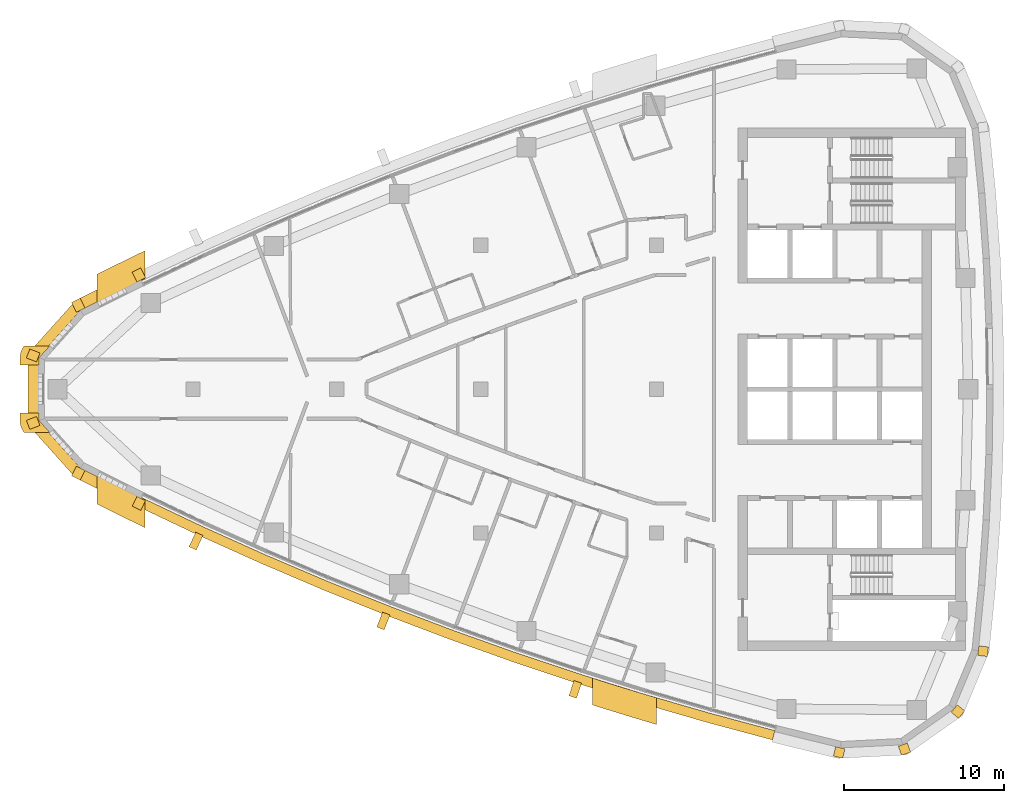
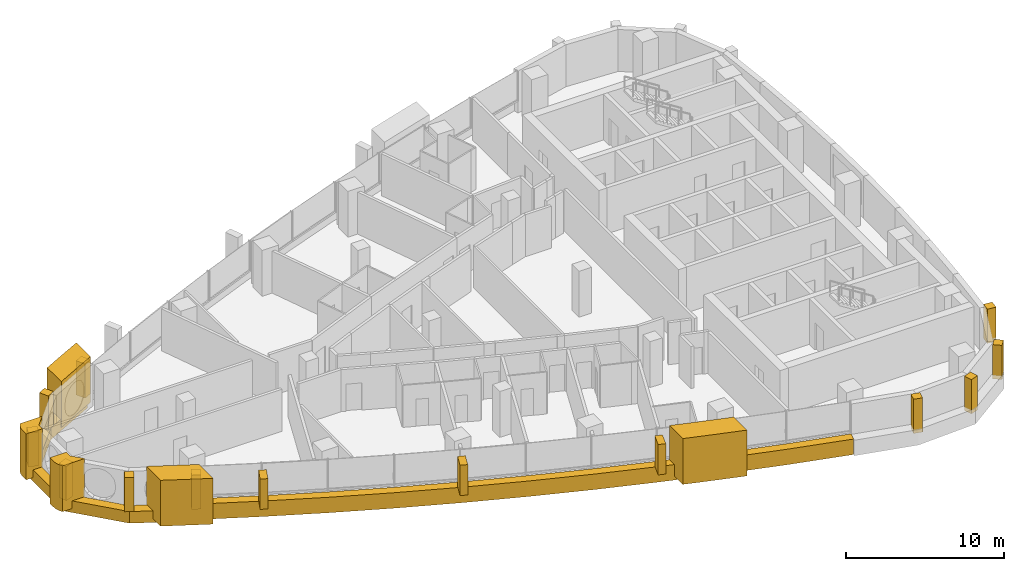
# One storey, part 13 of 16: 20 coverings.
"""IFC4 building model written with IfcOpenShell, lengths in metres."""

from ifc_helpers import new_model, si_unit, direction, frame, frame_2d, origin, place, context, subcontext, project, spatial, polyline, rectangle, outline, extrude, material, layer, layer_set, type_object, element, save


model = new_model("IFC4")

# Units and contexts
model_context = context("Model", 3, precision=1e-05, world=origin(), true_north=direction((0.0, 1.0)))
body_context = subcontext(model_context, "Body", "Model", "MODEL_VIEW")
ifc_project = project(units=[si_unit("LENGTHUNIT", "METRE"), si_unit("AREAUNIT", "SQUARE_METRE"), si_unit("VOLUMEUNIT", "CUBIC_METRE"), si_unit("PLANEANGLEUNIT", "RADIAN"), si_unit("MASSUNIT", "GRAM", prefix="KILO")], contexts=[model_context])

# Site, building, storey
site_placement = place(None, origin())
site = spatial("IfcSite", under=ifc_project, at=site_placement, CompositionType="ELEMENT")
building_placement = place(site_placement, origin())
building = spatial("IfcBuilding", under=site, at=building_placement, Name="Ostrand Prow Hotel Tower", CompositionType="ELEMENT")
storey_placement = place(building_placement, frame((0.0, 0.0, 224.35009765625)))
storey = spatial("IfcBuildingStorey", under=building, at=storey_placement, Name="L56", CompositionType="ELEMENT", Elevation=224.35009765625)

# Coverings
ifc_material_1 = material(Name="Bronze anodised aluminium cladding", Category="aluminium")
ifc_layer_1 = layer(ifc_material_1, 0.60009765625)
ifc_layer_set_1 = layer_set([ifc_layer_1], Name="Bronze anodised aluminium cladding")
covering_type_1 = type_object("IfcCoveringType", Name="Bronze prow band 899x600", PredefinedType="CLADDING", material=ifc_layer_set_1)
covering_1_placement = place(storey_placement, frame((0.0, 0.0, -0.300048828125)))
element("IfcCovering", 1, at=covering_1_placement, inside=storey, type_object=covering_type_1, Name="Bronze prow band", PredefinedType="CLADDING", context=body_context, shape_type="SweptSolid", body=[
    extrude(outline(polyline([(12.464111328125, 7.451904296875), (8.668212890625, 5.55517578125), (5.685302734375, 2.232666015625), (5.685302734375, -2.232666015625), (8.668212890625, -5.55517578125), (12.464111328125, -7.451904296875), (12.76171875, -6.840576171875), (8.97802734375, -4.949951171875), (6.3203125, -1.9892578125), (6.3203125, 1.9892578125), (8.97802734375, 4.949951171875), (12.76171875, 6.840576171875), (12.464111328125, 7.451904296875)])), origin(), (0.0, 0.0, 1.0), 0.89990234375),
])
ifc_material_2 = material(Name="Bronze anodised aluminium cladding", Category="aluminium")
ifc_layer_2 = layer(ifc_material_2, 0.60009765625)
ifc_layer_set_2 = layer_set([ifc_layer_2], Name="Bronze anodised aluminium cladding")
covering_type_2 = type_object("IfcCoveringType", Name="Bronze spandrel band 1200x600", PredefinedType="CLADDING", material=ifc_layer_set_2)
covering_2_placement = place(storey_placement, frame((0.0, 0.0, -0.300048828125)))
element("IfcCovering", 2, at=covering_2_placement, inside=storey, type_object=covering_type_2, Name="Spandrel band S1", PredefinedType="CLADDING", context=body_context, shape_type="SweptSolid", body=[
    extrude(outline(polyline([(12.526123046875, -7.324462890625), (16.35693359375, -9.14306640625), (20.2236328125, -10.88427734375), (24.12451171875, -12.547119140625), (28.058349609375, -14.131103515625), (32.02294921875, -15.635498046875), (36.017333984375, -17.059814453125), (40.039306640625, -18.403564453125), (44.087890625, -19.665771484375), (48.16064453125, -20.846435546875), (52.256591796875, -21.944580078125), (52.40625, -21.363525390625), (48.322021484375, -20.268310546875), (44.260498046875, -19.09130859375), (40.223876953125, -17.83251953125), (36.213134765625, -16.49267578125), (32.230224609375, -15.072509765625), (28.27685546875, -13.572265625), (24.354248046875, -11.992919921875), (20.464599609375, -10.334716796875), (16.60888671875, -8.598388671875), (12.788818359375, -6.784912109375), (12.526123046875, -7.324462890625)])), origin(), (0.0, 0.0, 1.0), 1.199951171875),
])
ifc_material_3 = material(Name="Limestone cladding", Category="masonry")
ifc_layer_3 = layer(ifc_material_3, 5.0)
ifc_layer_set_3 = layer_set([ifc_layer_3], Name="Limestone cladding")
covering_type_3 = type_object("IfcCoveringType", Name="Portal jamb pilaster limestone", PredefinedType="CLADDING", material=ifc_layer_set_3)
covering_3_placement = place(storey_placement, origin())
element("IfcCovering", 3, at=covering_3_placement, inside=storey, type_object=covering_type_3, Name="Portal jamb SA L56", PredefinedType="CLADDING", context=body_context, shape_type="SweptSolid", body=[
    extrude(outline(polyline([(10.0, -5.40087890625), (10.0, -7.19189453125), (11.0, -7.689453125), (12.0, -8.180419921875), (13.0, -8.664794921875), (13.0, -6.8876953125), (12.0, -6.398681640625), (11.0, -5.903076171875), (10.0, -5.40087890625)])), origin(), (0.0, 0.0, 1.0), 3.5498046875),
])
covering_4_placement = place(storey_placement, origin())
element("IfcCovering", 4, at=covering_4_placement, inside=storey, type_object=covering_type_3, Name="Portal jamb SB L56", PredefinedType="CLADDING", context=body_context, shape_type="SweptSolid", body=[
    extrude(outline(polyline([(41.0, -18.08154296875), (41.0, -19.760009765625), (42.0, -20.0732421875), (43.0, -20.381103515625), (44.0, -20.68359375), (45.0, -20.980712890625), (45.0, -19.312255859375), (44.0, -19.0126953125), (43.0, -18.707763671875), (42.0, -18.3974609375), (41.0, -18.08154296875)])), origin(), (0.0, 0.0, 1.0), 3.5498046875),
])
covering_5_placement = place(storey_placement, origin())
element("IfcCovering", 5, at=covering_5_placement, inside=storey, type_object=covering_type_3, Name="Portal jamb NA L56", PredefinedType="CLADDING", context=body_context, shape_type="SweptSolid", body=[
    extrude(outline(polyline([(10.0, 5.40087890625), (11.0, 5.903076171875), (12.0, 6.398681640625), (13.0, 6.8876953125), (13.0, 8.664794921875), (12.0, 8.180419921875), (11.0, 7.689453125), (10.0, 7.19189453125), (10.0, 5.40087890625)])), origin(), (0.0, 0.0, 1.0), 3.5498046875),
])
ifc_material_4 = material(Name="Limestone cladding", Category="masonry")
ifc_layer_4 = layer(ifc_material_4, 0.5)
ifc_layer_set_4 = layer_set([ifc_layer_4], Name="Limestone cladding")
covering_type_4 = type_object("IfcCoveringType", Name="Precast stone fin 500x900", PredefinedType="CLADDING", material=ifc_layer_set_4)
covering_6_placement = place(storey_placement, frame((16.39892578125, -9.05224609375, 0.89990234375), z_axis=(0.0, 0.0, 1.0), x_axis=(-0.419661863421, -0.907680516696, 0.0)))
element("IfcCovering", 6, at=covering_6_placement, inside=storey, type_object=covering_type_4, Name="Stone fin S 2", PredefinedType="CLADDING", context=body_context, shape_type="SweptSolid", body=[
    extrude(rectangle(XDim=1.0, YDim=0.5, at=frame_2d((0.5, 0.0))), origin(), (0.0, 0.0, 1.0), 2.35009765625),
])
covering_7_placement = place(storey_placement, frame((28.0947265625, -14.0380859375, 0.89990234375), z_axis=(0.0, 0.0, 1.0), x_axis=(-0.364307281276, -0.931278800795, 0.0)))
element("IfcCovering", 7, at=covering_7_placement, inside=storey, type_object=covering_type_4, Name="Stone fin S 5", PredefinedType="CLADDING", context=body_context, shape_type="SweptSolid", body=[
    extrude(rectangle(XDim=0.999755859375, YDim=0.5, at=frame_2d((0.5, 0.0))), origin(), (0.0, 0.0, 1.0), 2.35009765625),
])
covering_8_placement = place(storey_placement, frame((40.070068359375, -18.308349609375, 0.89990234375), z_axis=(0.0, 0.0, 1.0), x_axis=(-0.307352263966, -0.951595810118, 0.0)))
element("IfcCovering", 8, at=covering_8_placement, inside=storey, type_object=covering_type_4, Name="Stone fin S 8", PredefinedType="CLADDING", context=body_context, shape_type="SweptSolid", body=[
    extrude(rectangle(XDim=1.0, YDim=0.5, at=frame_2d((0.5, 0.0))), origin(), (0.0, 0.0, 1.0), 2.35009765625),
])
ifc_material_5 = material(Name="Limestone cladding", Category="masonry")
ifc_layer_5 = layer(ifc_material_5, 0.60009765625)
ifc_layer_set_5 = layer_set([ifc_layer_5], Name="Limestone cladding")
covering_type_5 = type_object("IfcCoveringType", Name="Precast stone prow rib 600x600", PredefinedType="CLADDING", material=ifc_layer_set_5)
for number, where, z_axis, x_axis, name in (
    (9, (12.76171875, 6.840576171875, 0.599853515625), (0.0, 0.0, 1.0), (-0.437708972644, 0.899116708368, 0.0), "Stone prow rib 1"),
    (10, (8.97802734375, 4.949951171875, 0.599853515625), (0.0, 0.0, 1.0), (-0.455667721738, 0.890149946563, 0.0), "Stone prow rib 2"),
):
    element("IfcCovering", number, at=place(storey_placement, frame(where, z_axis=z_axis, x_axis=x_axis)), inside=storey, type_object=covering_type_5, Name=name, PredefinedType="CLADDING", context=body_context, shape_type="SweptSolid", body=[
        extrude(rectangle(XDim=0.679931640625, YDim=0.60009765625, at=frame_2d((0.33984375, 0.0))), origin(), (0.0, 0.0, 1.0), 2.650146484375),
    ])
for number, where, z_axis, x_axis, name in (
    (11, (6.3203125, 1.9892578125, 0.599853515625), (0.0, 0.0, 1.0), (-0.9337521164, 0.357920361419, 0.0), "Stone prow rib 3"),
    (12, (6.3203125, -1.9892578125, 0.599853515625), (0.0, 0.0, 1.0), (-0.9337521164, -0.357920361419, 0.0), "Stone prow rib 4"),
):
    element("IfcCovering", number, at=place(storey_placement, frame(where, z_axis=z_axis, x_axis=x_axis)), inside=storey, type_object=covering_type_5, Name=name, PredefinedType="CLADDING", context=body_context, shape_type="SweptSolid", body=[
        extrude(rectangle(XDim=0.68017578125, YDim=0.60009765625, at=frame_2d((0.340087890625, 0.0))), origin(), (0.0, 0.0, 1.0), 2.650146484375),
    ])
for number, where, z_axis, x_axis, name in (
    (13, (8.97802734375, -4.949951171875, 0.599853515625), (0.0, 0.0, 1.0), (-0.455667721738, -0.890149946563, 0.0), "Stone prow rib 5"),
    (14, (12.76171875, -6.840576171875, 0.599853515625), (0.0, 0.0, 1.0), (-0.437708972644, -0.899116708368, 0.0), "Stone prow rib 6"),
):
    element("IfcCovering", number, at=place(storey_placement, frame(where, z_axis=z_axis, x_axis=x_axis)), inside=storey, type_object=covering_type_5, Name=name, PredefinedType="CLADDING", context=body_context, shape_type="SweptSolid", body=[
        extrude(rectangle(XDim=0.679931640625, YDim=0.60009765625, at=frame_2d((0.33984375, 0.0))), origin(), (0.0, 0.0, 1.0), 2.650146484375),
    ])
for number, where, z_axis, x_axis, name in (
    (15, (56.49755859375, -22.436279296875, 0.599853515625), (0.0, 0.0, 1.0), (-0.229878322855, -0.973219377469, 0.0), "Stone corner rib 2a"),
    (16, (60.417236328125, -22.240966796875, 0.599853515625), (0.0, 0.0, 1.0), (0.325489086777, -0.945545797087, 0.0), "Stone corner rib 3a"),
    (17, (63.62744140625, -19.98291015625, 0.599853515625), (0.0, 0.0, 1.0), (0.779994736518, -0.625786074473, 0.0), "Stone corner rib 4a"),
    (18, (65.13623046875, -16.35986328125, 0.599853515625), (0.0, 0.0, 1.0), (0.993628058569, -0.112708833834, 0.0), "Stone corner rib 4b"),
):
    element("IfcCovering", number, at=place(storey_placement, frame(where, z_axis=z_axis, x_axis=x_axis)), inside=storey, type_object=covering_type_5, Name=name, PredefinedType="CLADDING", context=body_context, shape_type="SweptSolid", body=[
        extrude(rectangle(XDim=0.60009765625, YDim=0.60009765625, at=frame_2d((0.300048828125, 0.0))), origin(), (0.0, 0.0, 1.0), 2.650146484375),
    ])
ifc_material_6 = material(Name="Limestone cladding", Category="masonry")
ifc_layer_6 = layer(ifc_material_6, 3.0)
ifc_layer_set_6 = layer_set([ifc_layer_6], Name="Limestone cladding")
covering_type_6 = type_object("IfcCoveringType", Name="Prow nose pier limestone", PredefinedType="CLADDING", material=ifc_layer_set_6)
covering_9_placement = place(storey_placement, origin())
element("IfcCovering", 19, at=covering_9_placement, inside=storey, type_object=covering_type_6, Name="Prow spine fin N L56", PredefinedType="CLADDING", context=body_context, shape_type="SweptSolid", body=[
    extrude(outline(polyline([(5.177734375, 1.96728515625), (5.177734375, 1.5), (6.377685546875, 1.5), (6.377685546875, 1.96728515625), (7.03564453125, 2.699951171875), (5.42919921875, 2.699951171875), (5.406005859375, 2.67138671875), (5.337890625, 2.566162109375), (5.28125, 2.454345703125), (5.236328125, 2.33740234375), (5.203857421875, 2.21630859375), (5.184326171875, 2.09228515625), (5.177734375, 1.96728515625)])), origin(), (0.0, 0.0, 1.0), 3.5498046875),
])
covering_10_placement = place(storey_placement, origin())
element("IfcCovering", 20, at=covering_10_placement, inside=storey, type_object=covering_type_6, Name="Prow spine fin S L56", PredefinedType="CLADDING", context=body_context, shape_type="SweptSolid", body=[
    extrude(outline(polyline([(5.406005859375, -2.67138671875), (5.42919921875, -2.699951171875), (7.03564453125, -2.699951171875), (6.377685546875, -1.96728515625), (6.377685546875, -1.5), (5.177734375, -1.5), (5.177734375, -1.96728515625), (5.184326171875, -2.09228515625), (5.203857421875, -2.21630859375), (5.236328125, -2.33740234375), (5.28125, -2.454345703125), (5.337890625, -2.566162109375), (5.406005859375, -2.67138671875)])), origin(), (0.0, 0.0, 1.0), 3.5498046875),
])

save(model, "model.ifc")
